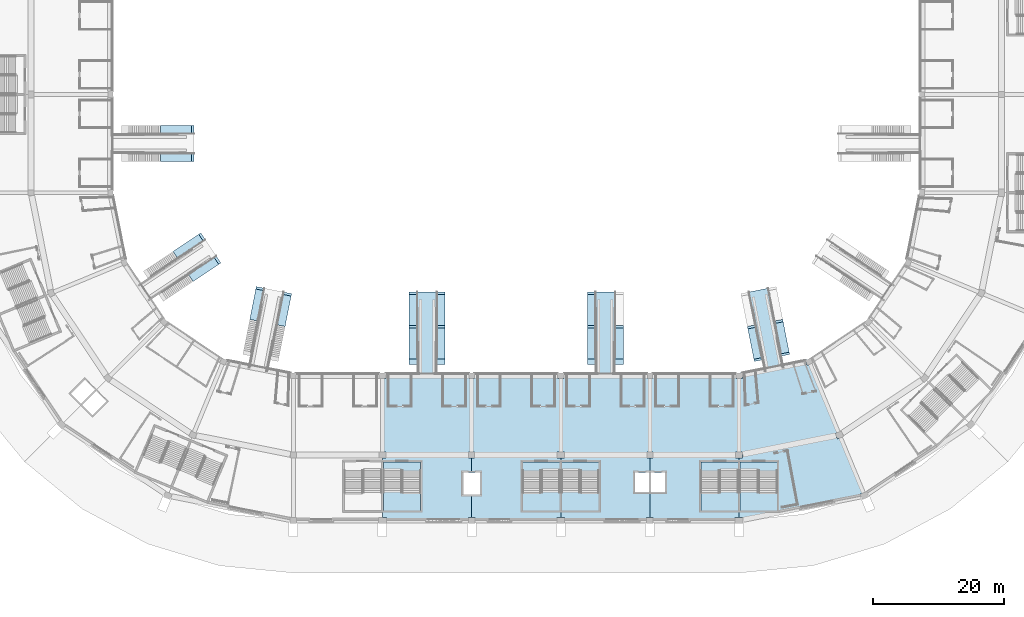
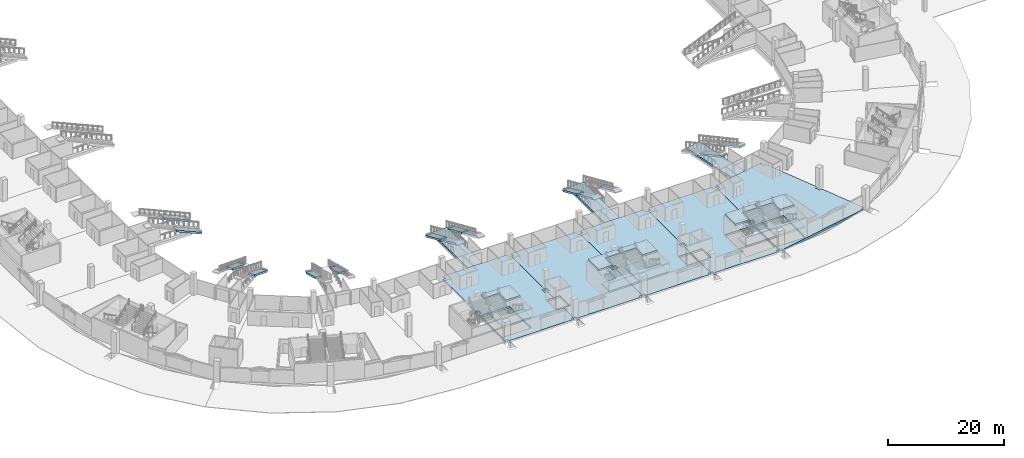
# One storey, part 15 of 175: 33 slabs, 5 elements without a shape of their own.
"""IFC4 building model written with IfcOpenShell, lengths in metres."""

from ifc_helpers import new_model, si_unit, direction, frame, origin, place, context, subcontext, project, spatial, polyline, outline, extrude, material, layer, layer_set, type_object, element, aggregate, save


model = new_model("IFC4")

# Units and contexts
model_context = context("Model", 3, precision=1e-05, world=origin(), true_north=direction((0.0, 1.0)))
body_context = subcontext(model_context, "Body", "Model", "MODEL_VIEW")
ifc_project = project(units=[si_unit("LENGTHUNIT", "METRE"), si_unit("AREAUNIT", "SQUARE_METRE"), si_unit("VOLUMEUNIT", "CUBIC_METRE"), si_unit("PLANEANGLEUNIT", "RADIAN"), si_unit("MASSUNIT", "GRAM", prefix="KILO")], contexts=[model_context])

# Site, building, storey
site_placement = place(None, origin())
site = spatial("IfcSite", under=ifc_project, at=site_placement, CompositionType="ELEMENT")
building_placement = place(site_placement, origin())
building = spatial("IfcBuilding", under=site, at=building_placement, Name="Ogive Plaza Stadium", CompositionType="ELEMENT")
storey_placement = place(building_placement, origin())
storey = spatial("IfcBuildingStorey", under=building, at=storey_placement, Name="L00", CompositionType="ELEMENT", Elevation=0.0)

# Slabs
ifc_material_1 = material(Name="Concrete C40/50", Category="concrete")
ifc_layer_1 = layer(ifc_material_1, 0.660888671875)
ifc_layer_set_1 = layer_set([ifc_layer_1], Name="Concrete C40/50")
ifc_layer_2 = layer(ifc_material_1, 0.449951171875)
ifc_layer_set_2 = layer_set([ifc_layer_2], Name="Concrete C40/50")
slab_type_1 = type_object("IfcSlabType", Name="Aisle stair slab 1300", PredefinedType="USERDEFINED", material=ifc_layer_set_2)
for number, where, z_axis, x_axis, name in (
    (1, (35.890869140625, -72.7705078125, 0.0), (0.0, 0.0, 1.0), (0.195090322016, -0.980785280403, 0.0), "Aisle stair SA11L slab 2"),
    (2, (40.01025390625, -71.951171875, 0.0), (0.0, 0.0, 1.0), (0.195090322016, -0.980785280403, 0.0), "Aisle stair SA11R slab 2"),
):
    element("IfcSlab", number, at=place(storey_placement, frame(where, z_axis=z_axis, x_axis=x_axis)), inside=storey, type_object=slab_type_1, material=ifc_layer_set_1, Name=name, ObjectType="AISLE STAIR SLAB", PredefinedType="USERDEFINED", context=body_context, shape_type="SweptSolid", body=[
        extrude(outline(polyline([(0.0, 2.25), (0.37158203125, 2.25), (5.10009765625, 4.336181640625), (5.446533203125, 4.336181640625), (5.446533203125, 4.077880859375), (5.39990234375, 4.057373046875), (5.25, 3.9912109375), (5.10009765625, 3.925048828125), (4.949951171875, 3.85888671875), (4.800048828125, 3.79248046875), (4.64990234375, 3.7265625), (4.5, 3.660400390625), (4.35009765625, 3.593994140625), (4.199951171875, 3.52783203125), (4.050048828125, 3.4619140625), (3.89990234375, 3.3955078125), (3.75, 3.329345703125), (3.60009765625, 3.26318359375), (3.449951171875, 3.197021484375), (3.300048828125, 3.130859375), (3.14990234375, 3.064697265625), (3.0, 2.99853515625), (2.85009765625, 2.932373046875), (2.699951171875, 2.8662109375), (2.550048828125, 2.800048828125), (2.39990234375, 2.73388671875), (2.25, 2.66748046875), (2.10009765625, 2.6015625), (1.949951171875, 2.535400390625), (1.800048828125, 2.468994140625), (1.64990234375, 2.40283203125), (1.5, 2.3369140625), (1.35009765625, 2.2705078125), (1.199951171875, 2.204345703125), (1.050048828125, 2.13818359375), (0.89990234375, 2.072021484375), (0.75, 2.005859375), (0.60009765625, 1.939697265625), (0.449951171875, 1.87353515625), (0.300048828125, 1.807373046875), (0.14990234375, 1.7412109375), (0.0, 1.675048828125), (0.0, 2.25)])), frame((0.0, 0.64990234375, 0.0), z_axis=(0.0, -1.0, 0.0), x_axis=(1.0, 0.0, 0.0)), (0.0, 0.0, 1.0), 1.300048828125),
    ])
ifc_layer_3 = layer(ifc_material_1, 0.52587890625)
ifc_layer_set_3 = layer_set([ifc_layer_3], Name="Concrete C40/50")
slab_1_placement = place(storey_placement, frame((11.474853515625, -67.64990234375, 0.0), z_axis=(0.0, 0.0, 1.0), x_axis=(0.0, -1.0, 0.0)))
element("IfcSlab", 3, at=slab_1_placement, inside=storey, type_object=slab_type_1, material=ifc_layer_set_3, Name="Aisle stair SA13L slab 1", ObjectType="AISLE STAIR SLAB", PredefinedType="USERDEFINED", context=body_context, shape_type="SweptSolid", body=[
    extrude(outline(polyline([(0.0, 0.0), (0.37158203125, 0.0), (5.10009765625, 2.086181640625), (5.10009765625, 1.675048828125), (5.01220703125, 1.63623046875), (4.8623046875, 1.570068359375), (4.71240234375, 1.50390625), (4.562255859375, 1.437744140625), (4.412353515625, 1.37158203125), (4.26220703125, 1.305419921875), (4.1123046875, 1.2392578125), (3.96240234375, 1.173095703125), (3.812255859375, 1.10693359375), (3.662353515625, 1.040771484375), (3.51220703125, 0.974609375), (3.3623046875, 0.908447265625), (3.21240234375, 0.84228515625), (3.062255859375, 0.77587890625), (2.912353515625, 0.709716796875), (2.76220703125, 0.643798828125), (2.6123046875, 0.577392578125), (2.46240234375, 0.51123046875), (2.312255859375, 0.445068359375), (2.162353515625, 0.37890625), (2.01220703125, 0.312744140625), (1.8623046875, 0.24658203125), (1.71240234375, 0.180419921875), (1.562255859375, 0.1142578125), (1.412353515625, 0.048095703125), (1.26220703125, -0.01806640625), (1.1123046875, -0.084228515625), (0.96240234375, -0.150390625), (0.812255859375, -0.216552734375), (0.662353515625, -0.28271484375), (0.51220703125, -0.34912109375), (0.3623046875, -0.415283203125), (0.21240234375, -0.481201171875), (0.0, 0.0)])), frame((0.0, 0.624755859375, 0.0), z_axis=(0.0, -1.0, 0.0), x_axis=(1.0, 0.0, 0.0)), (0.0, 0.0, 1.0), 1.24951171875),
])
ifc_layer_4 = layer(ifc_material_1, 0.82373046875)
ifc_layer_set_4 = layer_set([ifc_layer_4], Name="Concrete C40/50")
for number, where, z_axis, x_axis, name in (
    (4, (11.5, -72.75, 0.0), (0.0, 0.0, 1.0), (0.0, -1.0, 0.0), "Aisle stair SA13L slab 2"),
    (5, (15.699951171875, -72.75, 0.0), (0.0, 0.0, 1.0), (0.0, -1.0, 0.0), "Aisle stair SA13R slab 2"),
):
    element("IfcSlab", number, at=place(storey_placement, frame(where, z_axis=z_axis, x_axis=x_axis)), inside=storey, type_object=slab_type_1, material=ifc_layer_set_4, Name=name, ObjectType="AISLE STAIR SLAB", PredefinedType="USERDEFINED", context=body_context, shape_type="SweptSolid", body=[
        extrude(outline(polyline([(0.0, 2.25), (0.37158203125, 2.25), (5.10009765625, 4.336181640625), (5.949951171875, 4.336181640625), (5.949951171875, 4.300048828125), (5.85009765625, 4.255859375), (5.699951171875, 4.189697265625), (5.550048828125, 4.12353515625), (5.39990234375, 4.057373046875), (5.25, 3.9912109375), (5.10009765625, 3.925048828125), (4.949951171875, 3.85888671875), (4.800048828125, 3.79248046875), (4.64990234375, 3.7265625), (4.5, 3.660400390625), (4.35009765625, 3.593994140625), (4.199951171875, 3.52783203125), (4.050048828125, 3.4619140625), (3.89990234375, 3.3955078125), (3.75, 3.329345703125), (3.60009765625, 3.26318359375), (3.449951171875, 3.197021484375), (3.300048828125, 3.130859375), (3.14990234375, 3.064697265625), (3.0, 2.99853515625), (2.85009765625, 2.932373046875), (2.699951171875, 2.8662109375), (2.550048828125, 2.800048828125), (2.39990234375, 2.73388671875), (2.25, 2.66748046875), (2.10009765625, 2.6015625), (1.949951171875, 2.535400390625), (1.800048828125, 2.468994140625), (1.64990234375, 2.40283203125), (1.5, 2.3369140625), (1.35009765625, 2.2705078125), (1.199951171875, 2.204345703125), (1.050048828125, 2.13818359375), (0.89990234375, 2.072021484375), (0.75, 2.005859375), (0.60009765625, 1.939697265625), (0.449951171875, 1.87353515625), (0.300048828125, 1.807373046875), (0.14990234375, 1.7412109375), (0.0, 1.675048828125), (0.0, 2.25)])), frame((0.0, 0.64990234375, 0.0), z_axis=(0.0, -1.0, 0.0), x_axis=(1.0, 0.0, 0.0)), (0.0, 0.0, 1.0), 1.300048828125),
    ])
slab_2_placement = place(storey_placement, frame((-15.725341796875, -67.64990234375, 0.0), z_axis=(0.0, 0.0, 1.0), x_axis=(0.0, -1.0, 0.0)))
element("IfcSlab", 6, at=slab_2_placement, inside=storey, type_object=slab_type_1, material=ifc_layer_set_3, Name="Aisle stair SA15L slab 1", ObjectType="AISLE STAIR SLAB", PredefinedType="USERDEFINED", context=body_context, shape_type="SweptSolid", body=[
    extrude(outline(polyline([(0.0, 0.0), (0.37158203125, 0.0), (5.10009765625, 2.086181640625), (5.10009765625, 1.675048828125), (5.01220703125, 1.63623046875), (4.8623046875, 1.570068359375), (4.71240234375, 1.50390625), (4.562255859375, 1.437744140625), (4.412353515625, 1.37158203125), (4.26220703125, 1.305419921875), (4.1123046875, 1.2392578125), (3.96240234375, 1.173095703125), (3.812255859375, 1.10693359375), (3.662353515625, 1.040771484375), (3.51220703125, 0.974609375), (3.3623046875, 0.908447265625), (3.21240234375, 0.84228515625), (3.062255859375, 0.77587890625), (2.912353515625, 0.709716796875), (2.76220703125, 0.643798828125), (2.6123046875, 0.577392578125), (2.46240234375, 0.51123046875), (2.312255859375, 0.445068359375), (2.162353515625, 0.37890625), (2.01220703125, 0.312744140625), (1.8623046875, 0.24658203125), (1.71240234375, 0.180419921875), (1.562255859375, 0.1142578125), (1.412353515625, 0.048095703125), (1.26220703125, -0.01806640625), (1.1123046875, -0.084228515625), (0.96240234375, -0.150390625), (0.812255859375, -0.216552734375), (0.662353515625, -0.28271484375), (0.51220703125, -0.34912109375), (0.3623046875, -0.415283203125), (0.21240234375, -0.481201171875), (0.0, 0.0)])), frame((0.0, 0.624755859375, 0.0), z_axis=(0.0, -1.0, 0.0), x_axis=(1.0, 0.0, 0.0)), (0.0, 0.0, 1.0), 1.24951171875),
])
slab_3_placement = place(storey_placement, frame((-15.699951171875, -72.75, 0.0), z_axis=(0.0, 0.0, 1.0), x_axis=(0.0, -1.0, 0.0)))
element("IfcSlab", 7, at=slab_3_placement, inside=storey, type_object=slab_type_1, material=ifc_layer_set_4, Name="Aisle stair SA15L slab 2", ObjectType="AISLE STAIR SLAB", PredefinedType="USERDEFINED", context=body_context, shape_type="SweptSolid", body=[
    extrude(outline(polyline([(0.0, 2.25), (0.37158203125, 2.25), (5.10009765625, 4.336181640625), (5.949951171875, 4.336181640625), (5.949951171875, 4.300048828125), (5.85009765625, 4.255859375), (5.699951171875, 4.189697265625), (5.550048828125, 4.12353515625), (5.39990234375, 4.057373046875), (5.25, 3.9912109375), (5.10009765625, 3.925048828125), (4.949951171875, 3.85888671875), (4.800048828125, 3.79248046875), (4.64990234375, 3.7265625), (4.5, 3.660400390625), (4.35009765625, 3.593994140625), (4.199951171875, 3.52783203125), (4.050048828125, 3.4619140625), (3.89990234375, 3.3955078125), (3.75, 3.329345703125), (3.60009765625, 3.26318359375), (3.449951171875, 3.197021484375), (3.300048828125, 3.130859375), (3.14990234375, 3.064697265625), (3.0, 2.99853515625), (2.85009765625, 2.932373046875), (2.699951171875, 2.8662109375), (2.550048828125, 2.800048828125), (2.39990234375, 2.73388671875), (2.25, 2.66748046875), (2.10009765625, 2.6015625), (1.949951171875, 2.535400390625), (1.800048828125, 2.468994140625), (1.64990234375, 2.40283203125), (1.5, 2.3369140625), (1.35009765625, 2.2705078125), (1.199951171875, 2.204345703125), (1.050048828125, 2.13818359375), (0.89990234375, 2.072021484375), (0.75, 2.005859375), (0.60009765625, 1.939697265625), (0.449951171875, 1.87353515625), (0.300048828125, 1.807373046875), (0.14990234375, 1.7412109375), (0.0, 1.675048828125), (0.0, 2.25)])), frame((0.0, 0.64990234375, 0.0), z_axis=(0.0, -1.0, 0.0), x_axis=(1.0, 0.0, 0.0)), (0.0, 0.0, 1.0), 1.300048828125),
])
slab_4_placement = place(storey_placement, frame((-11.474853515625, -67.64990234375, 0.0), z_axis=(0.0, 0.0, 1.0), x_axis=(0.0, -1.0, 0.0)))
element("IfcSlab", 8, at=slab_4_placement, inside=storey, type_object=slab_type_1, material=ifc_layer_set_3, Name="Aisle stair SA15R slab 1", ObjectType="AISLE STAIR SLAB", PredefinedType="USERDEFINED", context=body_context, shape_type="SweptSolid", body=[
    extrude(outline(polyline([(0.0, 0.0), (0.37158203125, 0.0), (5.10009765625, 2.086181640625), (5.10009765625, 1.675048828125), (5.01220703125, 1.63623046875), (4.8623046875, 1.570068359375), (4.71240234375, 1.50390625), (4.562255859375, 1.437744140625), (4.412353515625, 1.37158203125), (4.26220703125, 1.305419921875), (4.1123046875, 1.2392578125), (3.96240234375, 1.173095703125), (3.812255859375, 1.10693359375), (3.662353515625, 1.040771484375), (3.51220703125, 0.974609375), (3.3623046875, 0.908447265625), (3.21240234375, 0.84228515625), (3.062255859375, 0.77587890625), (2.912353515625, 0.709716796875), (2.76220703125, 0.643798828125), (2.6123046875, 0.577392578125), (2.46240234375, 0.51123046875), (2.312255859375, 0.445068359375), (2.162353515625, 0.37890625), (2.01220703125, 0.312744140625), (1.8623046875, 0.24658203125), (1.71240234375, 0.180419921875), (1.562255859375, 0.1142578125), (1.412353515625, 0.048095703125), (1.26220703125, -0.01806640625), (1.1123046875, -0.084228515625), (0.96240234375, -0.150390625), (0.812255859375, -0.216552734375), (0.662353515625, -0.28271484375), (0.51220703125, -0.34912109375), (0.3623046875, -0.415283203125), (0.21240234375, -0.481201171875), (0.0, 0.0)])), frame((0.0, 0.624755859375, 0.0), z_axis=(0.0, -1.0, 0.0), x_axis=(1.0, 0.0, 0.0)), (0.0, 0.0, 1.0), 1.24951171875),
])
slab_5_placement = place(storey_placement, frame((-11.5, -72.75, 0.0), z_axis=(0.0, 0.0, 1.0), x_axis=(0.0, -1.0, 0.0)))
element("IfcSlab", 9, at=slab_5_placement, inside=storey, type_object=slab_type_1, material=ifc_layer_set_4, Name="Aisle stair SA15R slab 2", ObjectType="AISLE STAIR SLAB", PredefinedType="USERDEFINED", context=body_context, shape_type="SweptSolid", body=[
    extrude(outline(polyline([(0.0, 2.25), (0.37158203125, 2.25), (5.10009765625, 4.336181640625), (5.949951171875, 4.336181640625), (5.949951171875, 4.300048828125), (5.85009765625, 4.255859375), (5.699951171875, 4.189697265625), (5.550048828125, 4.12353515625), (5.39990234375, 4.057373046875), (5.25, 3.9912109375), (5.10009765625, 3.925048828125), (4.949951171875, 3.85888671875), (4.800048828125, 3.79248046875), (4.64990234375, 3.7265625), (4.5, 3.660400390625), (4.35009765625, 3.593994140625), (4.199951171875, 3.52783203125), (4.050048828125, 3.4619140625), (3.89990234375, 3.3955078125), (3.75, 3.329345703125), (3.60009765625, 3.26318359375), (3.449951171875, 3.197021484375), (3.300048828125, 3.130859375), (3.14990234375, 3.064697265625), (3.0, 2.99853515625), (2.85009765625, 2.932373046875), (2.699951171875, 2.8662109375), (2.550048828125, 2.800048828125), (2.39990234375, 2.73388671875), (2.25, 2.66748046875), (2.10009765625, 2.6015625), (1.949951171875, 2.535400390625), (1.800048828125, 2.468994140625), (1.64990234375, 2.40283203125), (1.5, 2.3369140625), (1.35009765625, 2.2705078125), (1.199951171875, 2.204345703125), (1.050048828125, 2.13818359375), (0.89990234375, 2.072021484375), (0.75, 2.005859375), (0.60009765625, 1.939697265625), (0.449951171875, 1.87353515625), (0.300048828125, 1.807373046875), (0.14990234375, 1.7412109375), (0.0, 1.675048828125), (0.0, 2.25)])), frame((0.0, 0.64990234375, 0.0), z_axis=(0.0, -1.0, 0.0), x_axis=(1.0, 0.0, 0.0)), (0.0, 0.0, 1.0), 1.300048828125),
])
for number, where, z_axis, x_axis, name in (
    (10, (-39.0400390625, -66.9443359375, 0.0), (0.0, 0.0, 1.0), (-0.195090322016, -0.980785280403, 0.0), "Aisle stair SA17L slab 1"),
    (11, (-34.87109375, -67.7734375, 0.0), (0.0, 0.0, 1.0), (-0.195090322016, -0.980785280403, 0.0), "Aisle stair SA17R slab 1"),
    (12, (-47.777587890625, -59.14990234375, 0.0), (0.0, 0.0, 1.0), (-0.831469612303, -0.55557023302, 0.0), "Aisle stair SA19L slab 1"),
    (13, (-45.416015625, -62.68408203125, 0.0), (0.0, 0.0, 1.0), (-0.831469612303, -0.55557023302, 0.0), "Aisle stair SA19R slab 1"),
    (14, (-49.14990234375, -42.874755859375, 0.0), (0.0, 0.0, 1.0), (-1.0, 0.0, 0.0), "Aisle stair SA21L slab 1"),
    (15, (-49.14990234375, -47.125244140625, 0.0), (0.0, 0.0, 1.0), (-1.0, 0.0, 0.0), "Aisle stair SA21R slab 1"),
):
    element("IfcSlab", number, at=place(storey_placement, frame(where, z_axis=z_axis, x_axis=x_axis)), inside=storey, type_object=slab_type_1, material=ifc_layer_set_3, Name=name, ObjectType="AISLE STAIR SLAB", PredefinedType="USERDEFINED", context=body_context, shape_type="SweptSolid", body=[
        extrude(outline(polyline([(0.0, 0.0), (0.37158203125, 0.0), (5.10009765625, 2.086181640625), (5.10009765625, 1.675048828125), (5.01220703125, 1.63623046875), (4.8623046875, 1.570068359375), (4.71240234375, 1.50390625), (4.562255859375, 1.437744140625), (4.412353515625, 1.37158203125), (4.26220703125, 1.305419921875), (4.1123046875, 1.2392578125), (3.96240234375, 1.173095703125), (3.812255859375, 1.10693359375), (3.662353515625, 1.040771484375), (3.51220703125, 0.974609375), (3.3623046875, 0.908447265625), (3.21240234375, 0.84228515625), (3.062255859375, 0.77587890625), (2.912353515625, 0.709716796875), (2.76220703125, 0.643798828125), (2.6123046875, 0.577392578125), (2.46240234375, 0.51123046875), (2.312255859375, 0.445068359375), (2.162353515625, 0.37890625), (2.01220703125, 0.312744140625), (1.8623046875, 0.24658203125), (1.71240234375, 0.180419921875), (1.562255859375, 0.1142578125), (1.412353515625, 0.048095703125), (1.26220703125, -0.01806640625), (1.1123046875, -0.084228515625), (0.96240234375, -0.150390625), (0.812255859375, -0.216552734375), (0.662353515625, -0.28271484375), (0.51220703125, -0.34912109375), (0.3623046875, -0.415283203125), (0.21240234375, -0.481201171875), (0.0, 0.0)])), frame((0.0, 0.624755859375, 0.0), z_axis=(0.0, -1.0, 0.0), x_axis=(1.0, 0.0, 0.0)), (0.0, 0.0, 1.0), 1.24951171875),
    ])
ifc_material_2 = material(Name="Concrete C40/50", Category="concrete")
ifc_layer_5 = layer(ifc_material_2, 0.409912109375)
ifc_layer_set_5 = layer_set([ifc_layer_5], Name="Concrete C40/50")
slab_type_2 = type_object("IfcSlabType", Name="RC floor slab 410", PredefinedType="FLOOR", material=ifc_layer_set_5)
slab_6_placement = place(storey_placement, frame((0.0, 0.0, -0.409912109375)))
element("IfcSlab", 16, at=slab_6_placement, inside=storey, type_object=slab_type_2, Name="Floor slab L00 B11", PredefinedType="FLOOR", context=body_context, shape_type="SweptSolid", body=[
    extrude(outline(polyline([(34.0, -92.050048828125), (34.550048828125, -92.050048828125), (34.550048828125, -92.949951171875), (34.0, -92.949951171875), (34.0, -102.050048828125), (34.60009765625, -102.050048828125), (34.60009765625, -102.380615234375), (52.584228515625, -98.803466796875), (52.453857421875, -98.48876953125), (52.9619140625, -98.2783203125), (49.4794921875, -89.870849609375), (49.017578125, -90.062255859375), (48.673095703125, -89.230712890625), (49.135009765625, -89.03955078125), (44.829833984375, -78.645751953125), (44.414306640625, -78.818115234375), (44.108154296875, -78.078857421875), (44.523681640625, -77.90673828125), (34.0, -80.0), (34.5, -80.0), (34.5, -80.800048828125), (34.0, -80.800048828125), (34.0, -92.050048828125)]), holes=[polyline([(34.125, -93.550048828125), (34.125, -101.010009765625), (39.824951171875, -101.010009765625), (39.824951171875, -93.550048828125), (34.125, -93.550048828125)])]), origin(), (0.0, 0.0, 1.0), 0.409912109375),
])
slab_7_placement = place(storey_placement, frame((0.0, 0.0, -0.409912109375)))
element("IfcSlab", 17, at=slab_7_placement, inside=storey, type_object=slab_type_2, Name="Floor slab L00 B12", PredefinedType="FLOOR", context=body_context, shape_type="SweptSolid", body=[
    extrude(outline(polyline([(20.39990234375, -92.050048828125), (20.85009765625, -92.050048828125), (20.85009765625, -92.949951171875), (20.39990234375, -92.949951171875), (20.39990234375, -102.050048828125), (20.89990234375, -102.050048828125), (20.89990234375, -102.5), (33.39990234375, -102.5), (33.39990234375, -102.050048828125), (34.0, -102.050048828125), (34.0, -92.949951171875), (33.449951171875, -92.949951171875), (33.449951171875, -92.050048828125), (34.0, -92.050048828125), (34.0, -80.800048828125), (33.5, -80.800048828125), (33.5, -80.0), (20.800048828125, -80.0), (20.800048828125, -80.800048828125), (20.39990234375, -80.800048828125), (20.39990234375, -92.050048828125)]), holes=[polyline([(28.175048828125, -93.550048828125), (28.175048828125, -101.010009765625), (33.875, -101.010009765625), (33.875, -93.550048828125), (28.175048828125, -93.550048828125)]), polyline([(20.52490234375, -95.14990234375), (20.52490234375, -98.14990234375), (22.72509765625, -98.14990234375), (22.72509765625, -95.14990234375), (20.52490234375, -95.14990234375)])]), origin(), (0.0, 0.0, 1.0), 0.409912109375),
])
slab_8_placement = place(storey_placement, frame((0.0, 0.0, -0.409912109375)))
element("IfcSlab", 18, at=slab_8_placement, inside=storey, type_object=slab_type_2, Name="Floor slab L00 B13", PredefinedType="FLOOR", context=body_context, shape_type="SweptSolid", body=[
    extrude(outline(polyline([(6.800048828125, -92.050048828125), (7.35009765625, -92.050048828125), (7.35009765625, -92.949951171875), (6.800048828125, -92.949951171875), (6.800048828125, -102.050048828125), (7.39990234375, -102.050048828125), (7.39990234375, -102.5), (19.89990234375, -102.5), (19.89990234375, -102.050048828125), (20.39990234375, -102.050048828125), (20.39990234375, -92.949951171875), (19.949951171875, -92.949951171875), (19.949951171875, -92.050048828125), (20.39990234375, -92.050048828125), (20.39990234375, -80.800048828125), (20.0, -80.800048828125), (20.0, -80.0), (7.300048828125, -80.0), (7.300048828125, -80.800048828125), (6.800048828125, -80.800048828125), (6.800048828125, -92.050048828125)]), holes=[polyline([(18.074951171875, -95.14990234375), (18.074951171875, -98.14990234375), (20.27490234375, -98.14990234375), (20.27490234375, -95.14990234375), (18.074951171875, -95.14990234375)])]), origin(), (0.0, 0.0, 1.0), 0.409912109375),
])
slab_9_placement = place(storey_placement, frame((0.0, 0.0, -0.409912109375)))
element("IfcSlab", 19, at=slab_9_placement, inside=storey, type_object=slab_type_2, Name="Floor slab L00 B14", PredefinedType="FLOOR", context=body_context, shape_type="SweptSolid", body=[
    extrude(outline(polyline([(-6.800048828125, -92.050048828125), (-6.35009765625, -92.050048828125), (-6.35009765625, -92.949951171875), (-6.800048828125, -92.949951171875), (-6.800048828125, -95.14990234375), (-5.5, -95.14990234375), (-5.5, -98.550048828125), (-6.800048828125, -98.550048828125), (-6.800048828125, -102.050048828125), (-6.300048828125, -102.050048828125), (-6.300048828125, -102.5), (6.199951171875, -102.5), (6.199951171875, -102.050048828125), (6.800048828125, -102.050048828125), (6.800048828125, -92.949951171875), (6.25, -92.949951171875), (6.25, -92.050048828125), (6.800048828125, -92.050048828125), (6.800048828125, -80.800048828125), (6.300048828125, -80.800048828125), (6.300048828125, -80.0), (-6.39990234375, -80.0), (-6.39990234375, -80.800048828125), (-6.800048828125, -80.800048828125), (-6.800048828125, -92.050048828125)])), origin(), (0.0, 0.0, 1.0), 0.409912109375),
])
slab_10_placement = place(storey_placement, frame((0.0, 0.0, -0.409912109375)))
element("IfcSlab", 20, at=slab_10_placement, inside=storey, type_object=slab_type_2, Name="Floor slab L00 B15", PredefinedType="FLOOR", context=body_context, shape_type="SweptSolid", body=[
    extrude(outline(polyline([(-20.39990234375, -92.050048828125), (-19.85009765625, -92.050048828125), (-19.85009765625, -92.949951171875), (-20.39990234375, -92.949951171875), (-20.39990234375, -102.050048828125), (-19.800048828125, -102.050048828125), (-19.800048828125, -102.5), (-7.300048828125, -102.5), (-7.300048828125, -102.050048828125), (-6.800048828125, -102.050048828125), (-6.800048828125, -98.550048828125), (-8.10009765625, -98.550048828125), (-8.10009765625, -95.14990234375), (-6.800048828125, -95.14990234375), (-6.800048828125, -92.949951171875), (-7.25, -92.949951171875), (-7.25, -92.050048828125), (-6.800048828125, -92.050048828125), (-6.800048828125, -80.800048828125), (-7.199951171875, -80.800048828125), (-7.199951171875, -80.0), (-19.89990234375, -80.0), (-19.89990234375, -80.800048828125), (-20.39990234375, -80.800048828125), (-20.39990234375, -92.050048828125)]), holes=[polyline([(-20.27490234375, -93.550048828125), (-20.27490234375, -101.010009765625), (-14.574951171875, -101.010009765625), (-14.574951171875, -93.550048828125), (-20.27490234375, -93.550048828125)])]), origin(), (0.0, 0.0, 1.0), 0.409912109375),
])

# Stair, slabs
ifc_material_3 = material(Name="Concrete C40/50", Category="concrete")
stair_type = type_object("IfcStairType", Name="Exit stair", PredefinedType="STRAIGHT_RUN_STAIR", material=ifc_material_3)
stair_1_placement = place(storey_placement, origin())
stair_1 = element("IfcStair", 21, at=stair_1_placement, inside=storey, type_object=stair_type, Name="Exit stair ST12A L00 to L01", PredefinedType="STRAIGHT_RUN_STAIR")
ifc_material_4 = material(Name="Concrete C40/50", Category="concrete")
ifc_layer_6 = layer(ifc_material_4, 0.39990234375)
ifc_layer_set_6 = layer_set([ifc_layer_6], Name="Concrete C40/50")
slab_type_3 = type_object("IfcSlabType", Name="Stair landing", PredefinedType="LANDING", material=ifc_layer_set_6)
slab_11_placement = place(storey_placement, frame((0.0, 0.0, 1.85009765625)))
slab_11 = element("IfcSlab", 22, at=slab_11_placement, type_object=slab_type_3, Name="ST12A landing 1", PredefinedType="LANDING", context=body_context, shape_type="SweptSolid", body=[
    extrude(outline(polyline([(33.875, -101.010009765625), (28.175048828125, -101.010009765625), (28.175048828125, -98.2099609375), (31.074951171875, -98.2099609375), (31.074951171875, -95.81005859375), (33.875, -95.81005859375), (33.875, -98.2099609375), (33.875, -101.010009765625)])), origin(), (0.0, 0.0, 1.0), 0.39990234375),
])
slab_12_placement = place(storey_placement, frame((0.0, 0.0, 4.10009765625)))
slab_12 = element("IfcSlab", 23, at=slab_12_placement, type_object=slab_type_3, Name="ST12A landing 2", PredefinedType="LANDING", context=body_context, shape_type="SweptSolid", body=[
    extrude(outline(polyline([(30.97509765625, -97.25), (28.175048828125, -97.25), (28.175048828125, -94.85009765625), (28.175048828125, -93.550048828125), (33.875, -93.550048828125), (33.875, -94.85009765625), (30.97509765625, -94.85009765625), (30.97509765625, -97.25)])), origin(), (0.0, 0.0, 1.0), 0.39990234375),
])
aggregate(stair_1, [slab_11, slab_12])

stair_2_placement = place(storey_placement, origin())
stair_2 = element("IfcStair", 24, at=stair_2_placement, inside=storey, type_object=stair_type, Name="Exit stair ST12B L00 to L01", PredefinedType="STRAIGHT_RUN_STAIR")
slab_13_placement = place(storey_placement, frame((0.0, 0.0, 1.85009765625)))
slab_13 = element("IfcSlab", 25, at=slab_13_placement, type_object=slab_type_3, Name="ST12B landing 1", PredefinedType="LANDING", context=body_context, shape_type="SweptSolid", body=[
    extrude(outline(polyline([(34.125, -95.81005859375), (36.925048828125, -95.81005859375), (36.925048828125, -98.2099609375), (39.824951171875, -98.2099609375), (39.824951171875, -101.010009765625), (34.125, -101.010009765625), (34.125, -98.2099609375), (34.125, -95.81005859375)])), origin(), (0.0, 0.0, 1.0), 0.39990234375),
])
slab_14_placement = place(storey_placement, frame((0.0, 0.0, 4.10009765625)))
slab_14 = element("IfcSlab", 26, at=slab_14_placement, type_object=slab_type_3, Name="ST12B landing 2", PredefinedType="LANDING", context=body_context, shape_type="SweptSolid", body=[
    extrude(outline(polyline([(34.125, -94.85009765625), (34.125, -93.550048828125), (39.824951171875, -93.550048828125), (39.824951171875, -94.85009765625), (39.824951171875, -97.25), (37.02490234375, -97.25), (37.02490234375, -94.85009765625), (34.125, -94.85009765625)])), origin(), (0.0, 0.0, 1.0), 0.39990234375),
])
aggregate(stair_2, [slab_13, slab_14])

stair_3_placement = place(storey_placement, origin())
stair_3 = element("IfcStair", 27, at=stair_3_placement, inside=storey, type_object=stair_type, Name="Exit stair ST14A L00 to L01", PredefinedType="STRAIGHT_RUN_STAIR")
slab_15_placement = place(storey_placement, frame((0.0, 0.0, 1.85009765625)))
slab_15 = element("IfcSlab", 28, at=slab_15_placement, type_object=slab_type_3, Name="ST14A landing 1", PredefinedType="LANDING", context=body_context, shape_type="SweptSolid", body=[
    extrude(outline(polyline([(6.675048828125, -101.010009765625), (0.97509765625, -101.010009765625), (0.97509765625, -98.2099609375), (3.875, -98.2099609375), (3.875, -95.81005859375), (6.675048828125, -95.81005859375), (6.675048828125, -98.2099609375), (6.675048828125, -101.010009765625)])), origin(), (0.0, 0.0, 1.0), 0.39990234375),
])
slab_16_placement = place(storey_placement, frame((0.0, 0.0, 4.10009765625)))
slab_16 = element("IfcSlab", 29, at=slab_16_placement, type_object=slab_type_3, Name="ST14A landing 2", PredefinedType="LANDING", context=body_context, shape_type="SweptSolid", body=[
    extrude(outline(polyline([(3.77490234375, -97.25), (0.97509765625, -97.25), (0.97509765625, -94.85009765625), (0.97509765625, -93.550048828125), (6.675048828125, -93.550048828125), (6.675048828125, -94.85009765625), (3.77490234375, -94.85009765625), (3.77490234375, -97.25)])), origin(), (0.0, 0.0, 1.0), 0.39990234375),
])
aggregate(stair_3, [slab_15, slab_16])

stair_4_placement = place(storey_placement, origin())
stair_4 = element("IfcStair", 30, at=stair_4_placement, inside=storey, type_object=stair_type, Name="Exit stair ST14B L00 to L01", PredefinedType="STRAIGHT_RUN_STAIR")
slab_17_placement = place(storey_placement, frame((0.0, 0.0, 1.85009765625)))
slab_17 = element("IfcSlab", 31, at=slab_17_placement, type_object=slab_type_3, Name="ST14B landing 1", PredefinedType="LANDING", context=body_context, shape_type="SweptSolid", body=[
    extrude(outline(polyline([(6.925048828125, -95.81005859375), (9.72509765625, -95.81005859375), (9.72509765625, -98.2099609375), (12.625, -98.2099609375), (12.625, -101.010009765625), (6.925048828125, -101.010009765625), (6.925048828125, -98.2099609375), (6.925048828125, -95.81005859375)])), origin(), (0.0, 0.0, 1.0), 0.39990234375),
])
slab_18_placement = place(storey_placement, frame((0.0, 0.0, 4.10009765625)))
slab_18 = element("IfcSlab", 32, at=slab_18_placement, type_object=slab_type_3, Name="ST14B landing 2", PredefinedType="LANDING", context=body_context, shape_type="SweptSolid", body=[
    extrude(outline(polyline([(6.925048828125, -94.85009765625), (6.925048828125, -93.550048828125), (12.625, -93.550048828125), (12.625, -94.85009765625), (12.625, -97.25), (9.824951171875, -97.25), (9.824951171875, -94.85009765625), (6.925048828125, -94.85009765625)])), origin(), (0.0, 0.0, 1.0), 0.39990234375),
])
aggregate(stair_4, [slab_17, slab_18])

stair_5_placement = place(storey_placement, origin())
stair_5 = element("IfcStair", 33, at=stair_5_placement, inside=storey, type_object=stair_type, Name="Exit stair ST16B L00 to L01", PredefinedType="STRAIGHT_RUN_STAIR")
slab_19_placement = place(storey_placement, frame((0.0, 0.0, 1.85009765625)))
slab_19 = element("IfcSlab", 34, at=slab_19_placement, type_object=slab_type_3, Name="ST16B landing 1", PredefinedType="LANDING", context=body_context, shape_type="SweptSolid", body=[
    extrude(outline(polyline([(-20.27490234375, -95.81005859375), (-17.47509765625, -95.81005859375), (-17.47509765625, -98.2099609375), (-14.574951171875, -98.2099609375), (-14.574951171875, -101.010009765625), (-20.27490234375, -101.010009765625), (-20.27490234375, -98.2099609375), (-20.27490234375, -95.81005859375)])), origin(), (0.0, 0.0, 1.0), 0.39990234375),
])
slab_20_placement = place(storey_placement, frame((0.0, 0.0, 4.10009765625)))
slab_20 = element("IfcSlab", 35, at=slab_20_placement, type_object=slab_type_3, Name="ST16B landing 2", PredefinedType="LANDING", context=body_context, shape_type="SweptSolid", body=[
    extrude(outline(polyline([(-20.27490234375, -94.85009765625), (-20.27490234375, -93.550048828125), (-14.574951171875, -93.550048828125), (-14.574951171875, -94.85009765625), (-14.574951171875, -97.25), (-17.375, -97.25), (-17.375, -94.85009765625), (-20.27490234375, -94.85009765625)])), origin(), (0.0, 0.0, 1.0), 0.39990234375),
])
aggregate(stair_5, [slab_19, slab_20])

# Slabs
ifc_material_5 = material(Name="Concrete C40/50", Category="concrete")
ifc_layer_7 = layer(ifc_material_5, 0.409912109375)
ifc_layer_set_7 = layer_set([ifc_layer_7], Name="Concrete C40/50")
slab_type_4 = type_object("IfcSlabType", Name="Vomitory floor slab 410", PredefinedType="FLOOR", material=ifc_layer_set_7)
slab_21_placement = place(storey_placement, frame((0.0, 0.0, -0.409912109375)))
element("IfcSlab", 36, at=slab_21_placement, inside=storey, type_object=slab_type_4, Name="Vomitory floor B11", PredefinedType="FLOOR", context=body_context, shape_type="SweptSolid", body=[
    extrude(outline(polyline([(35.484375, -67.651611328125), (38.4267578125, -67.066162109375), (40.733154296875, -78.66064453125), (37.790771484375, -79.24609375), (35.484375, -67.651611328125)])), origin(), (0.0, 0.0, 1.0), 0.409912109375),
])
slab_22_placement = place(storey_placement, frame((0.0, 0.0, -0.409912109375)))
element("IfcSlab", 37, at=slab_22_placement, inside=storey, type_object=slab_type_4, Name="Vomitory floor B13", PredefinedType="FLOOR", context=body_context, shape_type="SweptSolid", body=[
    extrude(outline(polyline([(12.10009765625, -67.64990234375), (15.10009765625, -67.64990234375), (15.10009765625, -80.0), (12.10009765625, -80.0), (12.10009765625, -67.64990234375)])), origin(), (0.0, 0.0, 1.0), 0.409912109375),
])
slab_23_placement = place(storey_placement, frame((0.0, 0.0, -0.409912109375)))
element("IfcSlab", 38, at=slab_23_placement, inside=storey, type_object=slab_type_4, Name="Vomitory floor B15", PredefinedType="FLOOR", context=body_context, shape_type="SweptSolid", body=[
    extrude(outline(polyline([(-15.10009765625, -67.64990234375), (-12.10009765625, -67.64990234375), (-12.10009765625, -80.0), (-15.10009765625, -80.0), (-15.10009765625, -67.64990234375)])), origin(), (0.0, 0.0, 1.0), 0.409912109375),
])

save(model, "model.ifc")
